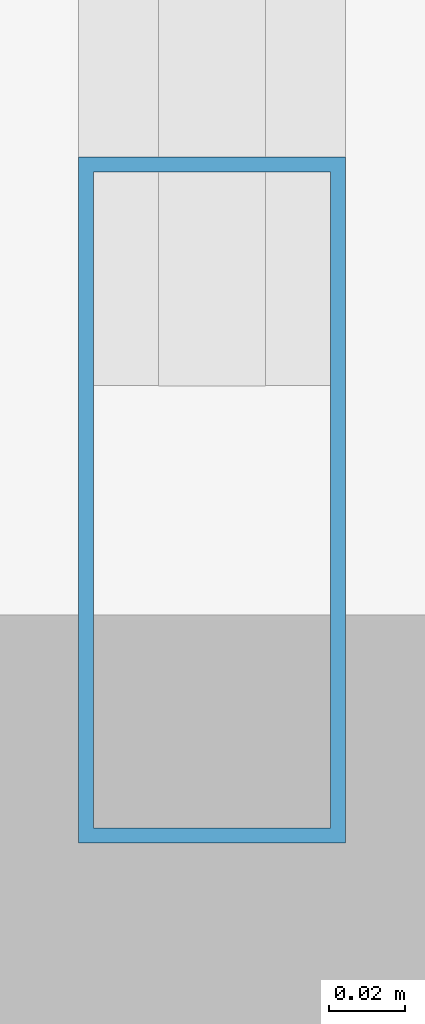
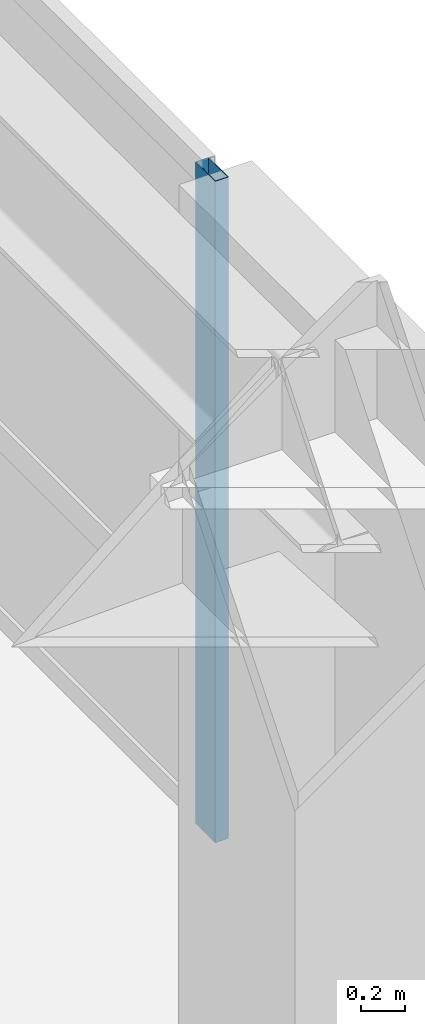
# One storey, part 12 of 28: 1 member, 1 element without a shape of its own.
"""IFC4 building model written with IfcOpenShell, lengths in metres."""

from ifc_helpers import new_model, si_unit, direction, frame, origin, origin_2d, place, context, subcontext, project, spatial, hollow_rectangle, extrude, material, layer, layer_set, material_profile, profile_set, type_object, element, aggregate, save


model = new_model("IFC4")

# Units and contexts
model_context = context("Model", 3, precision=1e-05, world=origin(), true_north=direction((0.0, 1.0)))
body_context = subcontext(model_context, "Body", "Model", "MODEL_VIEW")
ifc_project = project(units=[si_unit("LENGTHUNIT", "METRE"), si_unit("AREAUNIT", "SQUARE_METRE"), si_unit("VOLUMEUNIT", "CUBIC_METRE"), si_unit("PLANEANGLEUNIT", "RADIAN"), si_unit("MASSUNIT", "GRAM", prefix="KILO")], contexts=[model_context])

# Site, building, storey
site_placement = place(None, origin())
site = spatial("IfcSite", under=ifc_project, at=site_placement, CompositionType="ELEMENT")
building_placement = place(site_placement, origin())
building = spatial("IfcBuilding", under=site, at=building_placement, Name="Voryun Gate Residences", CompositionType="ELEMENT")
storey_placement = place(building_placement, frame((0.0, 0.0, 117.0)))
storey = spatial("IfcBuildingStorey", under=building, at=storey_placement, Name="L28", CompositionType="ELEMENT", Elevation=117.0)

# Curtain wall, member
ifc_material_1 = material(Name="Anodised aluminium", Category="aluminium")
ifc_layer = layer(ifc_material_1, 0.179931640625, Name="CW_SYS_RES_A_DARK_GLASS")
ifc_layer_set = layer_set([ifc_layer], Name="Anodised aluminium")
curtain_wall_type = type_object("IfcCurtainWallType", Name="CW_SYS_RES_A_DARK_GLASS", PredefinedType="NOTDEFINED", material=ifc_layer_set)
curtain_wall_placement = place(storey_placement, origin())
curtain_wall = element("IfcCurtainWall", 1, at=curtain_wall_placement, inside=storey, type_object=curtain_wall_type, Name="Curtain wall CWT-L28-16", PredefinedType="NOTDEFINED")
ifc_material_2 = material(Name="Anodised aluminium", Category="aluminium")
ifc_material_profile = material_profile(ifc_material_2, hollow_rectangle(XDim=0.070068359375, YDim=0.179931640625, WallThickness=0.00390625, at=origin_2d()), Name="ALU-MULL-180x70x4")
ifc_profile_set = profile_set([ifc_material_profile], Name="Anodised aluminium")
member_type = type_object("IfcMemberType", Name="CW_MULL_RES", PredefinedType="MULLION", material=ifc_profile_set)
member_placement = place(storey_placement, frame((33.2099609375, -4.867919921875, 0.0), z_axis=(0.0, 0.0, 1.0), x_axis=(1.0, 0.0, 0.0)))
member = element("IfcMember", 2, at=member_placement, type_object=member_type, Name="CW3 mullion 5", PredefinedType="MULLION", context=body_context, shape_type="SweptSolid", body=[
    extrude(hollow_rectangle(XDim=0.070068359375, YDim=0.179931640625, WallThickness=0.00390625, at=origin_2d()), origin(), (0.0, 0.0, 1.0), 3.64990234375),
])
aggregate(curtain_wall, [member])

save(model, "model.ifc")
